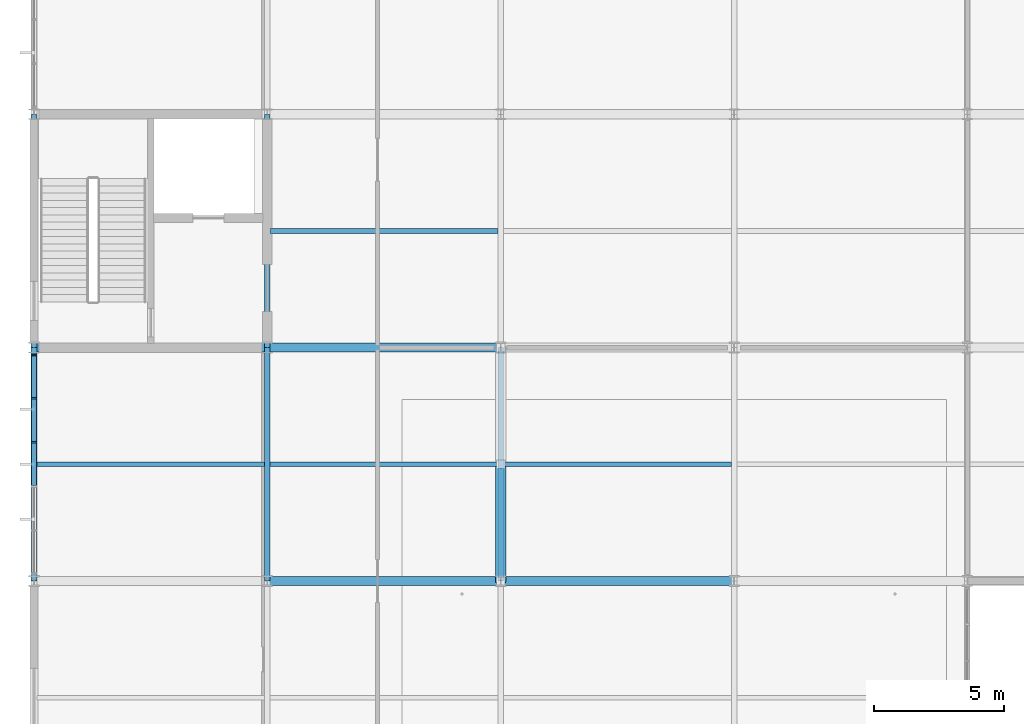
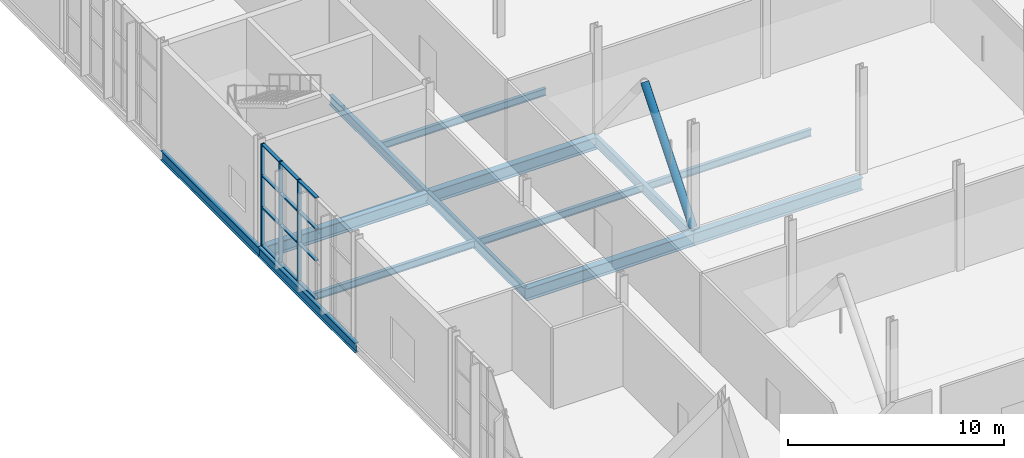
# One storey, part 49 of 159: 16 members, 13 beams, 1 element without a shape of its own.
"""IFC4 building model written with IfcOpenShell, lengths in metres."""

from ifc_helpers import new_model, si_unit, direction, frame, origin, origin_2d, place, context, subcontext, project, spatial, rectangle, hollow_circle, i_section, extrude, material, layer, layer_set, material_profile, profile_set, type_object, element, aggregate, save


model = new_model("IFC4")

# Units and contexts
model_context = context("Model", 3, precision=1e-05, world=origin(), true_north=direction((0.0, 1.0)))
body_context = subcontext(model_context, "Body", "Model", "MODEL_VIEW")
ifc_project = project(units=[si_unit("LENGTHUNIT", "METRE"), si_unit("AREAUNIT", "SQUARE_METRE"), si_unit("VOLUMEUNIT", "CUBIC_METRE"), si_unit("PLANEANGLEUNIT", "RADIAN"), si_unit("MASSUNIT", "GRAM", prefix="KILO")], contexts=[model_context])

# Site, building, storey
site_placement = place(None, origin())
site = spatial("IfcSite", under=ifc_project, at=site_placement, CompositionType="ELEMENT")
building_placement = place(site_placement, origin())
building = spatial("IfcBuilding", under=site, at=building_placement, Name="Cazmaro Siding Exhibition Halls", CompositionType="ELEMENT")
storey_placement = place(building_placement, frame((0.0, 0.0, 6.0)))
storey = spatial("IfcBuildingStorey", under=building, at=storey_placement, Name="L01", CompositionType="ELEMENT", Elevation=6.0)

# Beams
ifc_material_1 = material(Name="Steel ASTM A992 Grade 50", Category="steel")
ifc_material_profile_1 = material_profile(ifc_material_1, i_section(OverallWidth=0.214111328125, OverallDepth=0.549072265625, WebThickness=0.014892578125, FlangeThickness=0.02392578125, at=origin_2d()), Name="W21X93")
ifc_profile_set_1 = profile_set([ifc_material_profile_1], Name="Steel ASTM A992 Grade 50")
beam_type_1 = type_object("IfcBeamType", Name="B-01", PredefinedType="BEAM", material=ifc_profile_set_1)
for number, where, z_axis, x_axis, name in (
    (1, (0.0, 82.0, -0.493896484375), (0.0, 1.0, 0.0), (-1.0, 0.0, 0.0), "Beam B-01 BM-1997"),
    (2, (0.0, 91.0, -0.493896484375), (0.0, 1.0, 0.0), (-1.0, 0.0, 0.0), "Beam B-01 BM-1998"),
    (3, (9.0, 82.0, -0.493896484375), (0.0, 1.0, 0.0), (-1.0, 0.0, 0.0), "Beam B-01 BM-2005"),
    (4, (9.0, 91.0, -0.493896484375), (0.0, 1.0, 0.0), (-1.0, 0.0, 0.0), "Beam B-01 BM-2006"),
    (5, (18.0, 82.0, -0.493896484375), (0.0, 1.0, 0.0), (-1.0, 0.0, 0.0), "Beam B-01 BM-2013"),
):
    element("IfcBeam", number, at=place(storey_placement, frame(where, z_axis=z_axis, x_axis=x_axis)), inside=storey, type_object=beam_type_1, Name=name, PredefinedType="BEAM", context=body_context, shape_type="SweptSolid", body=[
        extrude(i_section(OverallWidth=0.214111328125, OverallDepth=0.549072265625, WebThickness=0.014892578125, FlangeThickness=0.02392578125, at=origin_2d()), origin(), (0.0, 0.0, 1.0), 9.0),
    ])

# Curtain wall, members
ifc_material_2 = material(Name="Anodized Bronze Aluminum and Solar-Control Low-E Glazing", Category="aluminium")
ifc_layer = layer(ifc_material_2, 0.199951171875)
ifc_layer_set = layer_set([ifc_layer], Name="Anodized Bronze Aluminum and Solar-Control Low-E Glazing")
curtain_wall_type = type_object("IfcCurtainWallType", Name="CWS-02", PredefinedType="USERDEFINED", material=ifc_layer_set)
curtain_wall_placement = place(storey_placement, origin())
curtain_wall = element("IfcCurtainWall", 6, at=curtain_wall_placement, inside=storey, type_object=curtain_wall_type, Name="Glazed Curtain Wall CWS-02 CW-233", ObjectType="GLAZED CURTAIN WALL", PredefinedType="USERDEFINED")
ifc_material_3 = material(Name="Anodized Bronze Extruded Aluminum", Category="aluminium")
ifc_material_profile_2 = material_profile(ifc_material_3, rectangle(XDim=0.199951171875, YDim=0.06494140625, at=origin_2d()), Name="CWM-02")
ifc_profile_set_2 = profile_set([ifc_material_profile_2], Name="Anodized Bronze Extruded Aluminum")
member_type_1 = type_object("IfcMemberType", Name="CWM-02", PredefinedType="MULLION", material=ifc_profile_set_2)
member_1_placement = place(storey_placement, frame((0.0, 90.714599609375, 0.0), z_axis=(0.0, 0.0, 1.0), x_axis=(1.0, 0.0, 0.0)))
member_1 = element("IfcMember", 7, at=member_1_placement, type_object=member_type_1, Name="CWS-02 mullion 1", PredefinedType="MULLION", context=body_context, shape_type="SweptSolid", body=[
    extrude(rectangle(XDim=0.199951171875, YDim=0.06494140625, at=origin_2d()), origin(), (0.0, 0.0, 1.0), 5.780029296875),
])
member_2_placement = place(storey_placement, frame((0.0, 89.048095703125, 0.0), z_axis=(0.0, 0.0, 1.0), x_axis=(1.0, 0.0, 0.0)))
member_2 = element("IfcMember", 8, at=member_2_placement, type_object=member_type_1, Name="CWS-02 mullion 2", PredefinedType="MULLION", context=body_context, shape_type="SweptSolid", body=[
    extrude(rectangle(XDim=0.199951171875, YDim=0.06494140625, at=origin_2d()), origin(), (0.0, 0.0, 1.0), 5.780029296875),
])
member_3_placement = place(storey_placement, frame((0.0, 87.349365234375, 0.0), z_axis=(0.0, 0.0, 1.0), x_axis=(1.0, 0.0, 0.0)))
member_3 = element("IfcMember", 9, at=member_3_placement, type_object=member_type_1, Name="CWS-02 mullion 3", PredefinedType="MULLION", context=body_context, shape_type="SweptSolid", body=[
    extrude(rectangle(XDim=0.199951171875, YDim=0.06494140625, at=origin_2d()), origin(), (0.0, 0.0, 1.0), 5.780029296875),
])
ifc_material_4 = material(Name="Anodized Bronze Extruded Aluminum", Category="aluminium")
ifc_material_profile_3 = material_profile(ifc_material_4, rectangle(XDim=0.179931640625, YDim=0.06494140625, at=origin_2d()), Name="CWT-02")
ifc_profile_set_3 = profile_set([ifc_material_profile_3], Name="Anodized Bronze Extruded Aluminum")
member_type_2 = type_object("IfcMemberType", Name="CWT-02", PredefinedType="MULLION", material=ifc_profile_set_3)
member_4_placement = place(storey_placement, frame((0.0, 90.681884765625, 0.032470703125), z_axis=(0.0, -1.0, 0.0), x_axis=(1.0, 0.0, 0.0)))
member_4 = element("IfcMember", 10, at=member_4_placement, type_object=member_type_2, Name="CWS-02 transom 1.1", ObjectType="TRANSOM", PredefinedType="USERDEFINED", context=body_context, shape_type="SweptSolid", body=[
    extrude(rectangle(XDim=0.179931640625, YDim=0.06494140625, at=origin_2d()), origin(), (0.0, 0.0, 1.0), 1.60107421875),
])
member_5_placement = place(storey_placement, frame((0.0, 90.681884765625, 2.199951171875), z_axis=(0.0, -1.0, 0.0), x_axis=(1.0, 0.0, 0.0)))
member_5 = element("IfcMember", 11, at=member_5_placement, type_object=member_type_2, Name="CWS-02 transom 1.2", ObjectType="TRANSOM", PredefinedType="USERDEFINED", context=body_context, shape_type="SweptSolid", body=[
    extrude(rectangle(XDim=0.179931640625, YDim=0.06494140625, at=origin_2d()), origin(), (0.0, 0.0, 1.0), 1.60107421875),
])
member_6_placement = place(storey_placement, frame((0.0, 90.681884765625, 4.0), z_axis=(0.0, -1.0, 0.0), x_axis=(1.0, 0.0, 0.0)))
member_6 = element("IfcMember", 12, at=member_6_placement, type_object=member_type_2, Name="CWS-02 transom 1.3", ObjectType="TRANSOM", PredefinedType="USERDEFINED", context=body_context, shape_type="SweptSolid", body=[
    extrude(rectangle(XDim=0.179931640625, YDim=0.06494140625, at=origin_2d()), origin(), (0.0, 0.0, 1.0), 1.60107421875),
])
member_7_placement = place(storey_placement, frame((0.0, 90.681884765625, 5.74755859375), z_axis=(0.0, -1.0, 0.0), x_axis=(1.0, 0.0, 0.0)))
member_7 = element("IfcMember", 13, at=member_7_placement, type_object=member_type_2, Name="CWS-02 transom 1.4", ObjectType="TRANSOM", PredefinedType="USERDEFINED", context=body_context, shape_type="SweptSolid", body=[
    extrude(rectangle(XDim=0.179931640625, YDim=0.06494140625, at=origin_2d()), origin(), (0.0, 0.0, 1.0), 1.60107421875),
])
member_8_placement = place(storey_placement, frame((0.0, 89.015625, 0.032470703125), z_axis=(0.0, -1.0, 0.0), x_axis=(1.0, 0.0, 0.0)))
member_8 = element("IfcMember", 14, at=member_8_placement, type_object=member_type_2, Name="CWS-02 transom 2.1", ObjectType="TRANSOM", PredefinedType="USERDEFINED", context=body_context, shape_type="SweptSolid", body=[
    extrude(rectangle(XDim=0.179931640625, YDim=0.06494140625, at=origin_2d()), origin(), (0.0, 0.0, 1.0), 1.6337890625),
])
member_9_placement = place(storey_placement, frame((0.0, 89.015625, 2.199951171875), z_axis=(0.0, -1.0, 0.0), x_axis=(1.0, 0.0, 0.0)))
member_9 = element("IfcMember", 15, at=member_9_placement, type_object=member_type_2, Name="CWS-02 transom 2.2", ObjectType="TRANSOM", PredefinedType="USERDEFINED", context=body_context, shape_type="SweptSolid", body=[
    extrude(rectangle(XDim=0.179931640625, YDim=0.06494140625, at=origin_2d()), origin(), (0.0, 0.0, 1.0), 1.6337890625),
])
member_10_placement = place(storey_placement, frame((0.0, 89.015625, 4.0), z_axis=(0.0, -1.0, 0.0), x_axis=(1.0, 0.0, 0.0)))
member_10 = element("IfcMember", 16, at=member_10_placement, type_object=member_type_2, Name="CWS-02 transom 2.3", ObjectType="TRANSOM", PredefinedType="USERDEFINED", context=body_context, shape_type="SweptSolid", body=[
    extrude(rectangle(XDim=0.179931640625, YDim=0.06494140625, at=origin_2d()), origin(), (0.0, 0.0, 1.0), 1.6337890625),
])
member_11_placement = place(storey_placement, frame((0.0, 89.015625, 5.74755859375), z_axis=(0.0, -1.0, 0.0), x_axis=(1.0, 0.0, 0.0)))
member_11 = element("IfcMember", 17, at=member_11_placement, type_object=member_type_2, Name="CWS-02 transom 2.4", ObjectType="TRANSOM", PredefinedType="USERDEFINED", context=body_context, shape_type="SweptSolid", body=[
    extrude(rectangle(XDim=0.179931640625, YDim=0.06494140625, at=origin_2d()), origin(), (0.0, 0.0, 1.0), 1.6337890625),
])
member_12_placement = place(storey_placement, frame((0.0, 87.31689453125, 0.032470703125), z_axis=(0.0, -1.0, 0.0), x_axis=(1.0, 0.0, 0.0)))
member_12 = element("IfcMember", 18, at=member_12_placement, type_object=member_type_2, Name="CWS-02 transom 3.1", ObjectType="TRANSOM", PredefinedType="USERDEFINED", context=body_context, shape_type="SweptSolid", body=[
    extrude(rectangle(XDim=0.179931640625, YDim=0.06494140625, at=origin_2d()), origin(), (0.0, 0.0, 1.0), 1.6337890625),
])
member_13_placement = place(storey_placement, frame((0.0, 87.31689453125, 2.199951171875), z_axis=(0.0, -1.0, 0.0), x_axis=(1.0, 0.0, 0.0)))
member_13 = element("IfcMember", 19, at=member_13_placement, type_object=member_type_2, Name="CWS-02 transom 3.2", ObjectType="TRANSOM", PredefinedType="USERDEFINED", context=body_context, shape_type="SweptSolid", body=[
    extrude(rectangle(XDim=0.179931640625, YDim=0.06494140625, at=origin_2d()), origin(), (0.0, 0.0, 1.0), 1.6337890625),
])
member_14_placement = place(storey_placement, frame((0.0, 87.31689453125, 4.0), z_axis=(0.0, -1.0, 0.0), x_axis=(1.0, 0.0, 0.0)))
member_14 = element("IfcMember", 20, at=member_14_placement, type_object=member_type_2, Name="CWS-02 transom 3.3", ObjectType="TRANSOM", PredefinedType="USERDEFINED", context=body_context, shape_type="SweptSolid", body=[
    extrude(rectangle(XDim=0.179931640625, YDim=0.06494140625, at=origin_2d()), origin(), (0.0, 0.0, 1.0), 1.6337890625),
])
member_15_placement = place(storey_placement, frame((0.0, 87.31689453125, 5.74755859375), z_axis=(0.0, -1.0, 0.0), x_axis=(1.0, 0.0, 0.0)))
member_15 = element("IfcMember", 21, at=member_15_placement, type_object=member_type_2, Name="CWS-02 transom 3.4", ObjectType="TRANSOM", PredefinedType="USERDEFINED", context=body_context, shape_type="SweptSolid", body=[
    extrude(rectangle(XDim=0.179931640625, YDim=0.06494140625, at=origin_2d()), origin(), (0.0, 0.0, 1.0), 1.6337890625),
])
aggregate(curtain_wall, [member_1, member_2, member_3, member_4, member_5, member_6, member_7, member_8, member_9, member_10, member_11, member_12, member_13, member_14, member_15])

# Beams
ifc_material_5 = material(Name="Steel ASTM A992 Grade 50", Category="steel")
ifc_material_profile_4 = material_profile(ifc_material_5, i_section(OverallWidth=0.35595703125, OverallDepth=0.696044921875, WebThickness=0.014892578125, FlangeThickness=0.02490234375, at=origin_2d()), Name="W27X146")
ifc_profile_set_4 = profile_set([ifc_material_profile_4], Name="Steel ASTM A992 Grade 50")
beam_type_2 = type_object("IfcBeamType", Name="G-05", PredefinedType="USERDEFINED", material=ifc_profile_set_4)
for number, where, z_axis, x_axis, name in (
    (22, (0.0, 91.0, -0.568115234375), (1.0, 0.0, 0.0), (0.0, 1.0, 0.0), "Beam G-05 BM-1931"),
    (23, (9.0, 82.0, -0.568115234375), (1.0, 0.0, 0.0), (0.0, 1.0, 0.0), "Beam G-05 BM-1945"),
    (24, (9.0, 91.0, -0.568115234375), (1.0, 0.0, 0.0), (0.0, 1.0, 0.0), "Beam G-05 BM-1946"),
    (25, (18.0, 82.0, -0.568115234375), (1.0, 0.0, 0.0), (0.0, 1.0, 0.0), "Beam G-05 BM-1963"),
):
    element("IfcBeam", number, at=place(storey_placement, frame(where, z_axis=z_axis, x_axis=x_axis)), inside=storey, type_object=beam_type_2, Name=name, ObjectType="GIRDER", PredefinedType="USERDEFINED", context=body_context, shape_type="SweptSolid", body=[
        extrude(i_section(OverallWidth=0.35595703125, OverallDepth=0.696044921875, WebThickness=0.014892578125, FlangeThickness=0.02490234375, at=origin_2d()), origin(), (0.0, 0.0, 1.0), 9.0),
    ])
ifc_material_6 = material(Name="Steel ASTM A992 Grade 50", Category="steel")
ifc_material_profile_5 = material_profile(ifc_material_6, i_section(OverallWidth=0.177978515625, OverallDepth=0.406005859375, WebThickness=0.008056640625, FlangeThickness=0.012939453125, at=origin_2d()), Name="W16X40")
ifc_profile_set_5 = profile_set([ifc_material_profile_5], Name="Steel ASTM A992 Grade 50")
beam_type_3 = type_object("IfcBeamType", Name="J-02", PredefinedType="JOIST", material=ifc_profile_set_5)
for number, where, z_axis, x_axis, name in (
    (26, (0.10693359375, 86.5, -0.423095703125), (1.0, 0.0, 0.0), (0.0, 1.0, 0.0), "Beam J-02 BM-1938"),
    (27, (9.10693359375, 86.5, -0.423095703125), (1.0, 0.0, 0.0), (0.0, 1.0, 0.0), "Beam J-02 BM-1954"),
    (28, (9.10693359375, 95.5, -0.423095703125), (1.0, 0.0, 0.0), (0.0, 1.0, 0.0), "Beam J-02 BM-1955"),
    (29, (18.10693359375, 86.5, -0.423095703125), (1.0, 0.0, 0.0), (0.0, 1.0, 0.0), "Beam J-02 BM-1972"),
):
    element("IfcBeam", number, at=place(storey_placement, frame(where, z_axis=z_axis, x_axis=x_axis)), inside=storey, type_object=beam_type_3, Name=name, PredefinedType="JOIST", context=body_context, shape_type="SweptSolid", body=[
        extrude(i_section(OverallWidth=0.177978515625, OverallDepth=0.406005859375, WebThickness=0.008056640625, FlangeThickness=0.012939453125, at=origin_2d()), origin(), (0.0, 0.0, 1.0), 8.7861328125),
    ])

# Member
ifc_material_7 = material(Name="Steel ASTM A500 Grade C", Category="steel")
ifc_material_profile_6 = material_profile(ifc_material_7, hollow_circle(Radius=0.202880859375, WallThickness=0.012939453125, at=origin_2d()), Name="PIPE16XS")
ifc_profile_set_6 = profile_set([ifc_material_profile_6], Name="Steel ASTM A500 Grade C")
member_type_3 = type_object("IfcMemberType", Name="WB-04", PredefinedType="BRACE", material=ifc_profile_set_6)
member_16_placement = place(storey_placement, frame((18.0, 82.0, 0.0), z_axis=(0.0, 0.632413466803, 0.774631013455), x_axis=(-1.0, 0.0, 0.0)))
element("IfcMember", 30, at=member_16_placement, inside=storey, type_object=member_type_3, Name="BRBF lateral brace WB-04 MEM-3436", PredefinedType="BRACE", context=body_context, shape_type="SweptSolid", body=[
    extrude(hollow_circle(Radius=0.202880859375, WallThickness=0.012939453125, at=origin_2d()), origin(), (0.0, 0.0, 1.0), 7.115478515625),
])

save(model, "model.ifc")
